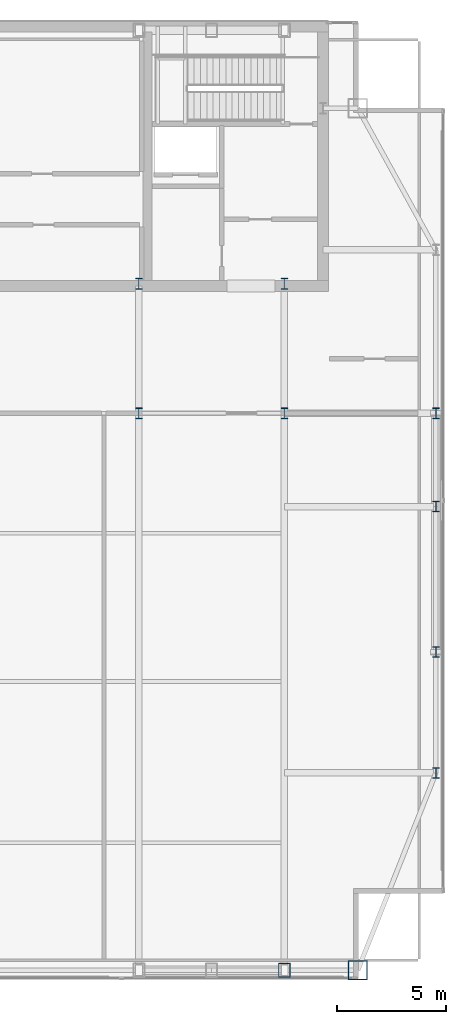
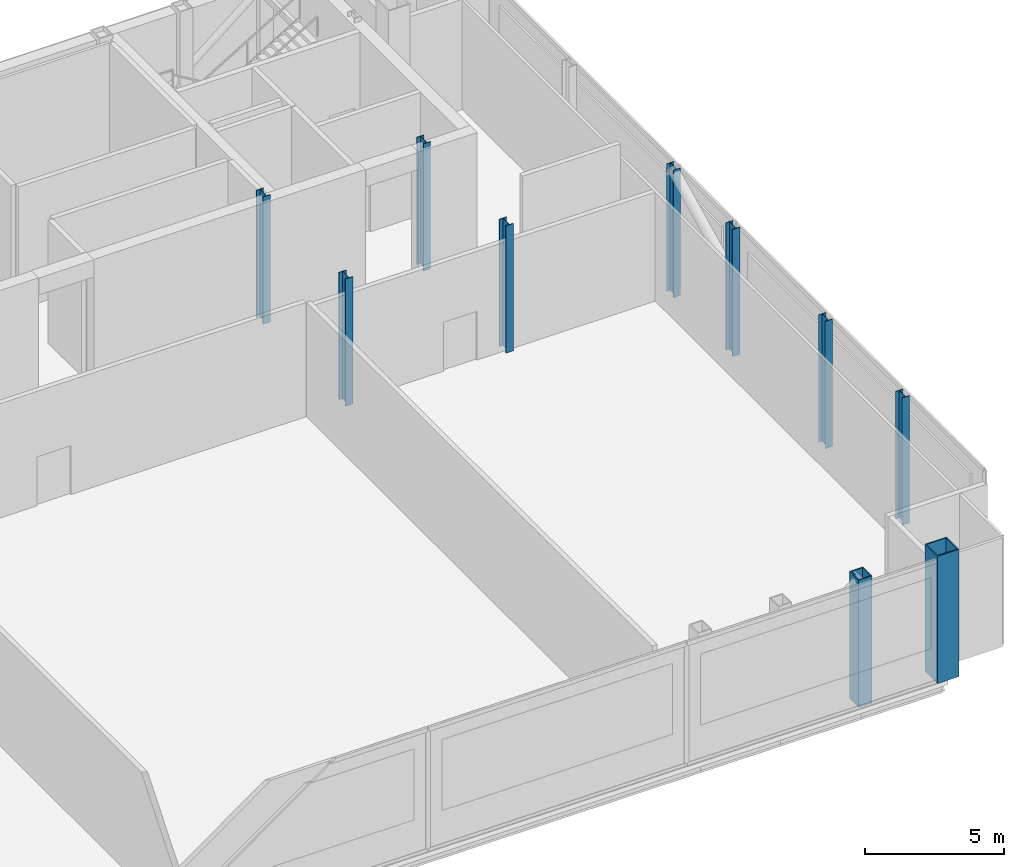
# One storey, part 2 of 22: 10 columns.
"""IFC4 building model written with IfcOpenShell, lengths in metres."""

from ifc_helpers import new_model, si_unit, direction, frame, origin, origin_2d, place, context, subcontext, project, spatial, hollow_rectangle, i_section, extrude, material, material_profile, profile_set, type_object, element, save


model = new_model("IFC4")

# Units and contexts
model_context = context("Model", 3, precision=1e-05, world=origin(), true_north=direction((0.0, 1.0)))
body_context = subcontext(model_context, "Body", "Model", "MODEL_VIEW")
ifc_project = project(units=[si_unit("LENGTHUNIT", "METRE"), si_unit("AREAUNIT", "SQUARE_METRE"), si_unit("VOLUMEUNIT", "CUBIC_METRE"), si_unit("PLANEANGLEUNIT", "RADIAN"), si_unit("MASSUNIT", "GRAM", prefix="KILO")], contexts=[model_context])

# Site, building, storey
site_placement = place(None, origin())
site = spatial("IfcSite", under=ifc_project, at=site_placement, CompositionType="ELEMENT")
building_placement = place(site_placement, origin())
building = spatial("IfcBuilding", under=site, at=building_placement, Name="Khoronbel Lancet Exchange", CompositionType="ELEMENT")
storey_placement = place(building_placement, frame((0.0, 0.0, 367.39990234375)))
storey = spatial("IfcBuildingStorey", under=building, at=storey_placement, Name="L94", CompositionType="ELEMENT", Elevation=367.39990234375)

# Columns
ifc_material_1 = material(Name="Steel S355", Category="steel")
ifc_material_profile_1 = material_profile(ifc_material_1, i_section(OverallWidth=0.300048828125, OverallDepth=0.5, WebThickness=0.014404296875, FlangeThickness=0.028076171875, at=origin_2d()), Name="HEB 500")
ifc_profile_set_1 = profile_set([ifc_material_profile_1], Name="Steel S355")
column_type_1 = type_object("IfcColumnType", Name="COL-CRC1", PredefinedType="COLUMN", material=ifc_profile_set_1)
for number, where, z_axis, x_axis, name in (
    (1, (61.6298828125, 19.199951171875, 0.0), (0.0, 0.0, 1.0), (1.0, 0.0, 0.0), "CROWN FRAME column EC-1 L94"),
    (2, (61.6298828125, 24.75, 0.0), (0.0, 0.0, 1.0), (1.0, 0.0, 0.0), "CROWN FRAME column EC-2 L94"),
    (3, (61.6298828125, 31.425048828125, 0.0), (0.0, 0.0, 1.0), (1.0, 0.0, 0.0), "CROWN FRAME column EC-M L94"),
    (4, (61.6298828125, 35.699951171875, 0.0), (0.0, 0.0, 1.0), (1.0, 0.0, 0.0), "CROWN FRAME column EC-3 L94"),
    (5, (48.0, 35.699951171875, 0.0), (0.0, 0.0, 1.0), (1.0, 0.0, 0.0), "CROWN FRAME spine column TC3 L94"),
    (6, (48.0, 41.64990234375, 0.0), (0.0, 0.0, 1.0), (1.0, 0.0, 0.0), "Core-embedded steel column CTC3 L94"),
    (7, (54.675048828125, 35.699951171875, 0.0), (0.0, 0.0, 1.0), (1.0, 0.0, 0.0), "CROWN FRAME spine column TC4 L94"),
    (8, (54.675048828125, 41.64990234375, 0.0), (0.0, 0.0, 1.0), (1.0, 0.0, 0.0), "Core-embedded steel column CTC4 L94"),
):
    element("IfcColumn", number, at=place(storey_placement, frame(where, z_axis=z_axis, x_axis=x_axis)), inside=storey, type_object=column_type_1, Name=name, PredefinedType="COLUMN", context=body_context, shape_type="SweptSolid", body=[
        extrude(i_section(OverallWidth=0.300048828125, OverallDepth=0.5, WebThickness=0.014404296875, FlangeThickness=0.028076171875, at=origin_2d()), origin(), (0.0, 0.0, 1.0), 5.60009765625),
    ])
ifc_material_2 = material(Name="Steel S460", Category="steel")
ifc_material_profile_2 = material_profile(ifc_material_2, hollow_rectangle(XDim=0.550048828125, YDim=0.64990234375, WallThickness=0.0400390625, at=origin_2d()), Name="BOX 650x550x40")
ifc_profile_set_2 = profile_set([ifc_material_profile_2], Name="Steel S460")
column_type_2 = type_object("IfcColumnType", Name="COL-EC4", PredefinedType="COLUMN", material=ifc_profile_set_2)
column_1_placement = place(storey_placement, frame((54.675048828125, 10.14990234375, 0.0), z_axis=(0.0, 0.0, 1.0), x_axis=(1.0, 0.0, 0.0)))
element("IfcColumn", 9, at=column_1_placement, inside=storey, type_object=column_type_2, Name="CROWN FRAME column SC-E2 L94", PredefinedType="COLUMN", context=body_context, shape_type="SweptSolid", body=[
    extrude(hollow_rectangle(XDim=0.550048828125, YDim=0.64990234375, WallThickness=0.0400390625, at=origin_2d()), origin(), (0.0, 0.0, 1.0), 5.60009765625),
])
ifc_material_profile_3 = material_profile(ifc_material_2, hollow_rectangle(XDim=0.89990234375, YDim=0.89990234375, WallThickness=0.050048828125, at=origin_2d()), Name="BOX 900x900x50")
ifc_profile_set_3 = profile_set([ifc_material_profile_3], Name="Steel S460")
column_type_3 = type_object("IfcColumnType", Name="COL-MC7", PredefinedType="COLUMN", material=ifc_profile_set_3)
column_2_placement = place(storey_placement, frame((58.050048828125, 10.14990234375, 0.0), z_axis=(0.0, 0.0, 1.0), x_axis=(1.0, 0.0, 0.0)))
element("IfcColumn", 10, at=column_2_placement, inside=storey, type_object=column_type_3, Name="CROWN FRAME column MC-SE L94", PredefinedType="COLUMN", context=body_context, shape_type="SweptSolid", body=[
    extrude(hollow_rectangle(XDim=0.89990234375, YDim=0.89990234375, WallThickness=0.050048828125, at=origin_2d()), origin(), (0.0, 0.0, 1.0), 5.60009765625),
])

save(model, "model.ifc")
